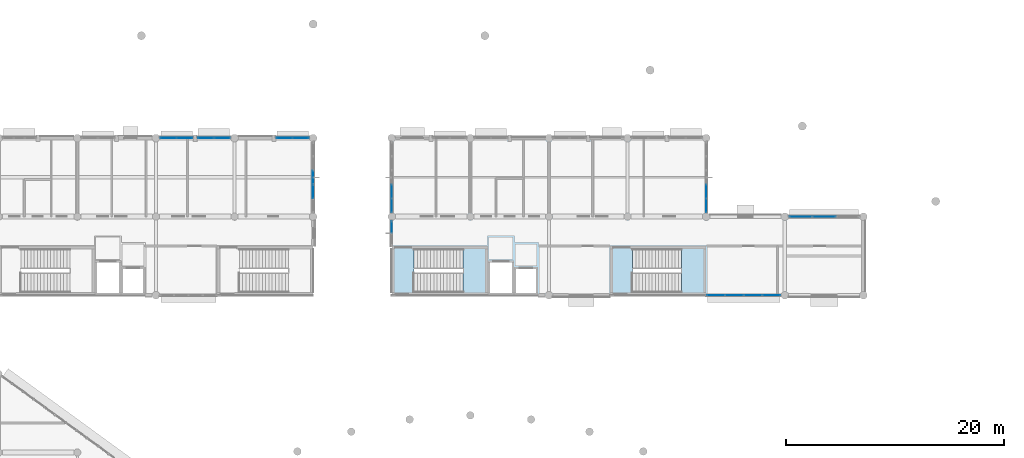
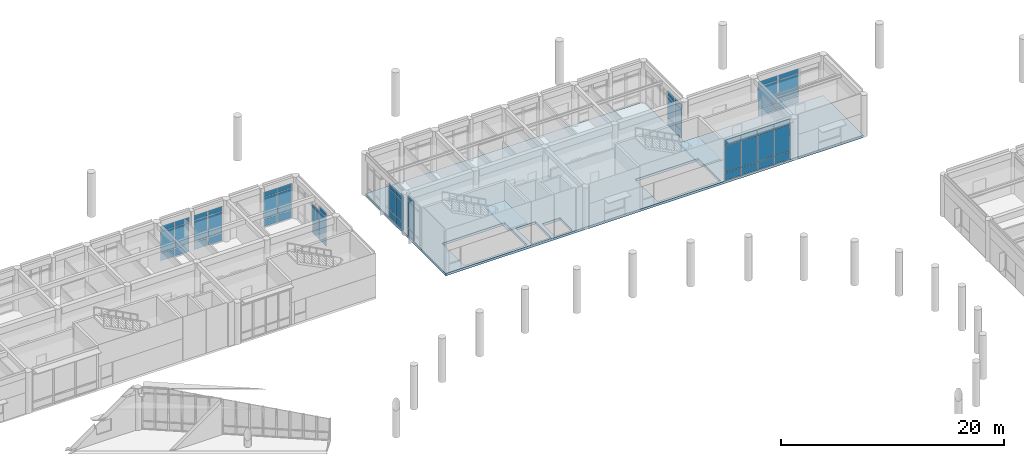
# One storey, part 42 of 92: 56 plates, 3 slabs, 11 elements without a shape of their own.
"""IFC4 building model written with IfcOpenShell, lengths in metres."""

import ifcopenshell
import ifcopenshell.guid

model = None  # the IFC model being written
_history = None  # IfcOwnerHistory: only IFC2X3 demands one
_inside = {}  # id of a spatial element -> (the spatial element, [elements in it])
_under = {}  # id of a project, library or spatial element -> (it, [spatial elements below it])
_declared = {}  # id of a project -> (the project, [libraries it declares])
_typed = {}  # id of a type object -> (the type object, [elements of that type])
_made_of = {}  # id of a material, layer set ... -> (it, [elements and type objects made of it])


def new_model(schema):
    """Start an empty IFC model of exactly this schema.

    Asked for "IFC4X3", IfcOpenShell would pick the latest addendum, in which some entities
    have other attributes; the version numbers below select the first issue.
    IFC2X3 requires an IfcOwnerHistory on every rooted entity: one is made here for all.
    """
    global model, _history
    if schema == "IFC4X3":
        model = ifcopenshell.file(schema_version=(4, 3, 0, 0))
    else:
        model = ifcopenshell.file(schema=schema)
    _inside.clear()
    _under.clear()
    _declared.clear()
    _typed.clear()
    _made_of.clear()
    _history = None
    if model.schema == "IFC2X3":
        org = make("IfcOrganization", Name="unknown")
        user = make(
            "IfcPersonAndOrganization",
            ThePerson=make("IfcPerson", FamilyName="unknown"),
            TheOrganization=org,
        )
        app = make(
            "IfcApplication",
            ApplicationDeveloper=org,
            Version="unknown",
            ApplicationFullName="unknown",
            ApplicationIdentifier="unknown",
        )
        _history = make(
            "IfcOwnerHistory",
            OwningUser=user,
            OwningApplication=app,
            ChangeAction="ADDED",
            CreationDate=0,
        )
    return model


def make(cls, **values):
    """One entity of the class cls with the attributes given. An attribute that is None is left unset."""
    return model.create_entity(
        cls, **{name: value for name, value in values.items() if value is not None}
    )


def rooted(cls, **values):
    """An entity with a GlobalId (a new one), such as an element, a storey or a relation."""
    return make(cls, GlobalId=ifcopenshell.guid.new(), OwnerHistory=_history, **values)


def si_unit(unit_type, name, prefix=None):
    """IfcSIUnit, for example si_unit("LENGTHUNIT", "METRE", prefix="MILLI")."""
    return make("IfcSIUnit", UnitType=unit_type, Prefix=prefix, Name=name)


def assignment(units):
    """IfcUnitAssignment: the units of a project."""
    return None if units is None else make("IfcUnitAssignment", Units=units)


def point(xyz):
    """IfcCartesianPoint."""
    return None if xyz is None else make("IfcCartesianPoint", Coordinates=xyz)


def direction(xyz):
    """IfcDirection."""
    return None if xyz is None else make("IfcDirection", DirectionRatios=xyz)


def frame(location, z_axis=None, x_axis=None):
    """IfcAxis2Placement3D, a coordinate frame: its origin and axes. An axis left out is left unset."""
    return make(
        "IfcAxis2Placement3D",
        Location=point(location),
        Axis=direction(z_axis),
        RefDirection=direction(x_axis),
    )


def frame_2d(location, x_axis=None):
    """IfcAxis2Placement2D, a coordinate frame in the plane: its origin and x axis."""
    return make(
        "IfcAxis2Placement2D", Location=point(location), RefDirection=direction(x_axis)
    )


def origin():
    """The frame at (0, 0, 0) with its axes left unset."""
    return frame((0.0, 0.0, 0.0))


def origin_2d():
    """The frame at (0, 0) in the plane with its x axis left unset."""
    return frame_2d((0.0, 0.0))


def place(relative_to, where):
    """IfcLocalPlacement: puts the frame where relative to a parent placement (None: the world)."""
    return make(
        "IfcLocalPlacement", PlacementRelTo=relative_to, RelativePlacement=where
    )


def context(
    kind, dimensions, precision=None, world=None, true_north=None, identifier=None
):
    """IfcGeometricRepresentationContext, for example the 3D "Model" context."""
    return make(
        "IfcGeometricRepresentationContext",
        ContextIdentifier=identifier,
        ContextType=kind,
        CoordinateSpaceDimension=dimensions,
        Precision=precision,
        WorldCoordinateSystem=world,
        TrueNorth=true_north,
    )


def subcontext(parent, identifier, kind, view, scale=None):
    """IfcGeometricRepresentationSubContext, for example "Body" below "Model"."""
    return make(
        "IfcGeometricRepresentationSubContext",
        ContextIdentifier=identifier,
        ContextType=kind,
        ParentContext=parent,
        TargetScale=scale,
        TargetView=view,
    )


def project(units=None, contexts=None):
    """IfcProject with its units and contexts."""
    return rooted(
        "IfcProject",
        Name="project",
        RepresentationContexts=contexts,
        UnitsInContext=assignment(units),
    )


def spatial(cls, under=None, at=None, **own):
    """A site, building, storey or space (cls), placed at a placement, below another one or the project."""
    s = rooted(cls, ObjectPlacement=at, **own)
    if under is not None:
        _under.setdefault(under.id(), (under, []))[1].append(s)
    return s


def polyline(points):
    """IfcPolyline through the points."""
    return make("IfcPolyline", Points=[point(p) for p in points])


def profile(cls, at=None, kind="AREA", **sizes):
    """A parametric profile (cls). Its sizes go by their IFC names, for example OverallWidth=200.0."""
    return make(cls, ProfileType=kind, Position=at, **sizes)


def rectangle(**sizes):
    """IfcRectangleProfileDef."""
    return profile("IfcRectangleProfileDef", **sizes)


def outline(outer, holes=None, kind="AREA"):
    """IfcArbitraryClosedProfileDef: a profile drawn as a closed curve; with holes, ...WithVoids."""
    if holes is None:
        return make("IfcArbitraryClosedProfileDef", ProfileType=kind, OuterCurve=outer)
    return make(
        "IfcArbitraryProfileDefWithVoids",
        ProfileType=kind,
        OuterCurve=outer,
        InnerCurves=holes,
    )


def extrude(swept, where, along, depth):
    """IfcExtrudedAreaSolid: the profile swept, set in the frame where, extruded along a direction by depth."""
    return make(
        "IfcExtrudedAreaSolid",
        SweptArea=swept,
        Position=where,
        ExtrudedDirection=direction(along),
        Depth=depth,
    )


def shape(context_of_items, identifier, shape_type, items):
    """IfcShapeRepresentation: the items that make up one representation, for example the "Body"."""
    return make(
        "IfcShapeRepresentation",
        ContextOfItems=context_of_items,
        RepresentationIdentifier=identifier,
        RepresentationType=shape_type,
        Items=items,
    )


def material(Name=None, Category=None):
    """IfcMaterial."""
    return make("IfcMaterial", Name=Name, Category=Category)


def layer(
    of_material, thickness, ventilated=None, Name=None, Category=None, Priority=None
):
    """IfcMaterialLayer: one layer of a wall or slab, of a material (None: an air gap)."""
    return make(
        "IfcMaterialLayer",
        Material=of_material,
        LayerThickness=thickness,
        IsVentilated=ventilated,
        Name=Name,
        Category=Category,
        Priority=Priority,
    )


def layer_set(layers, Name=None):
    """IfcMaterialLayerSet."""
    return make("IfcMaterialLayerSet", MaterialLayers=layers, LayerSetName=Name)


def made_of(thing, what):
    """Note that an element or type object is made of a material, layer set ...; save() writes the relation."""
    if what is not None:
        _made_of.setdefault(what.id(), (what, []))[1].append(thing)
    return thing


def type_object(cls, material=None, **own):
    """A type object (cls), such as IfcWallType, which elements share."""
    return made_of(rooted(cls, **own), material)


def element(
    cls,
    number,
    at=None,
    inside=None,
    cuts=None,
    type_object=None,
    material=None,
    context=None,
    identifier="Body",
    shape_type=None,
    held_by="IfcProductDefinitionShape",
    body=None,
    shapes=None,
    **own,
):
    """One element of the class cls, such as IfcWall. Its Tag is "e" and its number.

    at: its placement. inside: the storey or other place that contains it. cuts: it is an
    opening in that element (IfcRelVoidsElement). A single representation is given by context,
    identifier, shape_type and body (its items); several are given by shapes. held_by: the class
    of the entity that holds the representations. save() writes the other relations.
    """
    e = rooted(cls, Tag="e%d" % number, ObjectPlacement=at, **own)
    if body is not None:
        shapes = [shape(context, identifier, shape_type, body)]
    if shapes is not None:
        e.Representation = make(held_by, Representations=shapes)
    if inside is not None:
        _inside.setdefault(inside.id(), (inside, []))[1].append(e)
    if cuts is not None:
        rooted(
            "IfcRelVoidsElement", RelatingBuildingElement=cuts, RelatedOpeningElement=e
        )
    if type_object is not None:
        _typed.setdefault(type_object.id(), (type_object, []))[1].append(e)
    return made_of(e, material)


def aggregate(whole, parts):
    """IfcRelAggregates: a whole, such as a stair, and the parts it consists of."""
    return rooted("IfcRelAggregates", RelatingObject=whole, RelatedObjects=parts)


def save(model, path):
    """Write the relations noted so far, then the file.

    IfcRelAggregates (storeys below a building ...), IfcRelContainedInSpatialStructure (elements
    in a storey), IfcRelDefinesByType, IfcRelAssociatesMaterial and IfcRelDeclares: one each for
    every whole, place, type object, material and project.
    """
    for whole, parts in _under.values():
        aggregate(whole, parts)
    for where, things in _inside.values():
        rooted(
            "IfcRelContainedInSpatialStructure",
            RelatedElements=things,
            RelatingStructure=where,
        )
    for kind, things in _typed.values():
        rooted("IfcRelDefinesByType", RelatedObjects=things, RelatingType=kind)
    for what, things in _made_of.values():
        rooted("IfcRelAssociatesMaterial", RelatedObjects=things, RelatingMaterial=what)
    for by, libraries in _declared.values():
        rooted("IfcRelDeclares", RelatingContext=by, RelatedDefinitions=libraries)
    model.write(path)


model = new_model("IFC4")

# Units and contexts
model_context = context("Model", 3, precision=1e-05, world=origin(), true_north=direction((0.0, 1.0)))
body_context = subcontext(model_context, "Body", "Model", "MODEL_VIEW")
ifc_project = project(units=[si_unit("LENGTHUNIT", "METRE"), si_unit("AREAUNIT", "SQUARE_METRE"), si_unit("VOLUMEUNIT", "CUBIC_METRE"), si_unit("PLANEANGLEUNIT", "RADIAN"), si_unit("MASSUNIT", "GRAM", prefix="KILO")], contexts=[model_context])

# Site, building, storey
site_placement = place(None, origin())
site = spatial("IfcSite", under=ifc_project, at=site_placement, CompositionType="ELEMENT")
building_placement = place(site_placement, origin())
building = spatial("IfcBuilding", under=site, at=building_placement, Name="Namkhue Oval Health Centre", CompositionType="ELEMENT")
storey_placement = place(building_placement, frame((0.0, 0.0, 4.800048828125)))
storey = spatial("IfcBuildingStorey", under=building, at=storey_placement, Name="L01", CompositionType="ELEMENT", Elevation=4.800048828125)

# Curtain wall, plates
ifc_material_1 = material(Name="Anodised aluminium EN AW-6063 T6", Category="aluminium")
ifc_layer_1 = layer(ifc_material_1, 0.159912109375)
ifc_layer_set_1 = layer_set([ifc_layer_1], Name="Anodised aluminium EN AW-6063 T6")
curtain_wall_type_1 = type_object("IfcCurtainWallType", Name="UNITISED CURTAIN WALL M1800", PredefinedType="NOTDEFINED", material=ifc_layer_set_1)
curtain_wall_1_placement = place(storey_placement, origin())
curtain_wall_1 = element("IfcCurtainWall", 1, at=curtain_wall_1_placement, inside=storey, type_object=curtain_wall_type_1, Name="Volume V2 L01 Unitised Curtain Wall 53", PredefinedType="NOTDEFINED")
ifc_material_2 = material(Name="Thermally broken low-E laminated double glazing", Category="glass")
ifc_layer_2 = layer(ifc_material_2, 0.02587890625)
ifc_layer_set_2 = layer_set([ifc_layer_2], Name="Thermally broken low-E laminated double glazing")
plate_type_1 = type_object("IfcPlateType", Name="CURTAIN WALL GLAZED PANEL 26", PredefinedType="CURTAIN_PANEL", material=ifc_layer_set_2)
plate_1_placement = place(storey_placement, frame((74.63427734375, 104.39990234375, 0.06494140625), z_axis=(0.0, 0.0, 1.0), x_axis=(-1.0, 0.0, 0.0)))
plate_1 = element("IfcPlate", 2, at=plate_1_placement, type_object=plate_type_1, Name="CW-05 panel 1.1", PredefinedType="CURTAIN_PANEL", context=body_context, shape_type="SweptSolid", body=[
    extrude(rectangle(XDim=1.429443359375, YDim=0.02587890625, at=origin_2d()), origin(), (0.0, 0.0, 1.0), 0.802490234375),
])
plate_2_placement = place(storey_placement, frame((74.63427734375, 104.39990234375, 0.932373046875), z_axis=(0.0, 0.0, 1.0), x_axis=(-1.0, 0.0, 0.0)))
plate_2 = element("IfcPlate", 3, at=plate_2_placement, type_object=plate_type_1, Name="CW-05 panel 1.2", PredefinedType="CURTAIN_PANEL", context=body_context, shape_type="SweptSolid", body=[
    extrude(rectangle(XDim=1.429443359375, YDim=0.02587890625, at=origin_2d()), origin(), (0.0, 0.0, 1.0), 2.2900390625),
])
plate_3_placement = place(storey_placement, frame((74.63427734375, 104.39990234375, 3.28759765625), z_axis=(0.0, 0.0, 1.0), x_axis=(-1.0, 0.0, 0.0)))
plate_3 = element("IfcPlate", 4, at=plate_3_placement, type_object=plate_type_1, Name="CW-05 panel 1.3", PredefinedType="CURTAIN_PANEL", context=body_context, shape_type="SweptSolid", body=[
    extrude(rectangle(XDim=1.429443359375, YDim=0.02587890625, at=origin_2d()), origin(), (0.0, 0.0, 1.0), 0.552490234375),
])
plate_4_placement = place(storey_placement, frame((73.1396484375, 104.39990234375, 0.06494140625), z_axis=(0.0, 0.0, 1.0), x_axis=(-1.0, 0.0, 0.0)))
plate_4 = element("IfcPlate", 5, at=plate_4_placement, type_object=plate_type_1, Name="CW-05 panel 2.1", PredefinedType="CURTAIN_PANEL", context=body_context, shape_type="SweptSolid", body=[
    extrude(rectangle(XDim=1.429443359375, YDim=0.02587890625, at=origin_2d()), origin(), (0.0, 0.0, 1.0), 0.802490234375),
])
plate_5_placement = place(storey_placement, frame((73.1396484375, 104.39990234375, 0.932373046875), z_axis=(0.0, 0.0, 1.0), x_axis=(-1.0, 0.0, 0.0)))
plate_5 = element("IfcPlate", 6, at=plate_5_placement, type_object=plate_type_1, Name="CW-05 panel 2.2", PredefinedType="CURTAIN_PANEL", context=body_context, shape_type="SweptSolid", body=[
    extrude(rectangle(XDim=1.429443359375, YDim=0.02587890625, at=origin_2d()), origin(), (0.0, 0.0, 1.0), 2.2900390625),
])
plate_6_placement = place(storey_placement, frame((73.1396484375, 104.39990234375, 3.28759765625), z_axis=(0.0, 0.0, 1.0), x_axis=(-1.0, 0.0, 0.0)))
plate_6 = element("IfcPlate", 7, at=plate_6_placement, type_object=plate_type_1, Name="CW-05 panel 2.3", PredefinedType="CURTAIN_PANEL", context=body_context, shape_type="SweptSolid", body=[
    extrude(rectangle(XDim=1.429443359375, YDim=0.02587890625, at=origin_2d()), origin(), (0.0, 0.0, 1.0), 0.552490234375),
])
aggregate(curtain_wall_1, [plate_1, plate_2, plate_3, plate_4, plate_5, plate_6])

curtain_wall_2_placement = place(storey_placement, origin())
curtain_wall_2 = element("IfcCurtainWall", 8, at=curtain_wall_2_placement, inside=storey, type_object=curtain_wall_type_1, Name="Volume V3 L01 Unitised Curtain Wall 101", PredefinedType="NOTDEFINED")
plate_7_placement = place(storey_placement, frame((123.2861328125, 90.0, 0.06494140625), z_axis=(0.0, 0.0, 1.0), x_axis=(1.0, 0.0, 0.0)))
plate_7 = element("IfcPlate", 9, at=plate_7_placement, type_object=plate_type_1, Name="CW-05 panel 1.1", PredefinedType="CURTAIN_PANEL", context=body_context, shape_type="SweptSolid", body=[
    extrude(rectangle(XDim=1.608154296875, YDim=0.02587890625, at=origin_2d()), origin(), (0.0, 0.0, 1.0), 0.802490234375),
])
plate_8_placement = place(storey_placement, frame((123.2861328125, 90.0, 0.932373046875), z_axis=(0.0, 0.0, 1.0), x_axis=(1.0, 0.0, 0.0)))
plate_8 = element("IfcPlate", 10, at=plate_8_placement, type_object=plate_type_1, Name="CW-05 panel 1.2", PredefinedType="CURTAIN_PANEL", context=body_context, shape_type="SweptSolid", body=[
    extrude(rectangle(XDim=1.608154296875, YDim=0.02587890625, at=origin_2d()), origin(), (0.0, 0.0, 1.0), 2.9150390625),
])
plate_9_placement = place(storey_placement, frame((123.2861328125, 90.0, 3.91259765625), z_axis=(0.0, 0.0, 1.0), x_axis=(1.0, 0.0, 0.0)))
plate_9 = element("IfcPlate", 11, at=plate_9_placement, type_object=plate_type_1, Name="CW-05 panel 1.3", PredefinedType="CURTAIN_PANEL", context=body_context, shape_type="SweptSolid", body=[
    extrude(rectangle(XDim=1.608154296875, YDim=0.02587890625, at=origin_2d()), origin(), (0.0, 0.0, 1.0), 0.552490234375),
])
plate_10_placement = place(storey_placement, frame((124.9755859375, 90.0, 0.06494140625), z_axis=(0.0, 0.0, 1.0), x_axis=(1.0, 0.0, 0.0)))
plate_10 = element("IfcPlate", 12, at=plate_10_placement, type_object=plate_type_1, Name="CW-05 panel 2.1", PredefinedType="CURTAIN_PANEL", context=body_context, shape_type="SweptSolid", body=[
    extrude(rectangle(XDim=1.640869140625, YDim=0.02587890625, at=origin_2d()), origin(), (0.0, 0.0, 1.0), 0.802490234375),
])
plate_11_placement = place(storey_placement, frame((124.9755859375, 90.0, 0.932373046875), z_axis=(0.0, 0.0, 1.0), x_axis=(1.0, 0.0, 0.0)))
plate_11 = element("IfcPlate", 13, at=plate_11_placement, type_object=plate_type_1, Name="CW-05 panel 2.2", PredefinedType="CURTAIN_PANEL", context=body_context, shape_type="SweptSolid", body=[
    extrude(rectangle(XDim=1.640869140625, YDim=0.02587890625, at=origin_2d()), origin(), (0.0, 0.0, 1.0), 2.9150390625),
])
plate_12_placement = place(storey_placement, frame((124.9755859375, 90.0, 3.91259765625), z_axis=(0.0, 0.0, 1.0), x_axis=(1.0, 0.0, 0.0)))
plate_12 = element("IfcPlate", 14, at=plate_12_placement, type_object=plate_type_1, Name="CW-05 panel 2.3", PredefinedType="CURTAIN_PANEL", context=body_context, shape_type="SweptSolid", body=[
    extrude(rectangle(XDim=1.640869140625, YDim=0.02587890625, at=origin_2d()), origin(), (0.0, 0.0, 1.0), 0.552490234375),
])
plate_13_placement = place(storey_placement, frame((126.681396484375, 90.0, 0.06494140625), z_axis=(0.0, 0.0, 1.0), x_axis=(1.0, 0.0, 0.0)))
plate_13 = element("IfcPlate", 15, at=plate_13_placement, type_object=plate_type_1, Name="CW-05 panel 3.1", PredefinedType="CURTAIN_PANEL", context=body_context, shape_type="SweptSolid", body=[
    extrude(rectangle(XDim=1.640869140625, YDim=0.02587890625, at=origin_2d()), origin(), (0.0, 0.0, 1.0), 0.802490234375),
])
plate_14_placement = place(storey_placement, frame((126.681396484375, 90.0, 0.932373046875), z_axis=(0.0, 0.0, 1.0), x_axis=(1.0, 0.0, 0.0)))
plate_14 = element("IfcPlate", 16, at=plate_14_placement, type_object=plate_type_1, Name="CW-05 panel 3.2", PredefinedType="CURTAIN_PANEL", context=body_context, shape_type="SweptSolid", body=[
    extrude(rectangle(XDim=1.640869140625, YDim=0.02587890625, at=origin_2d()), origin(), (0.0, 0.0, 1.0), 2.9150390625),
])
plate_15_placement = place(storey_placement, frame((126.681396484375, 90.0, 3.91259765625), z_axis=(0.0, 0.0, 1.0), x_axis=(1.0, 0.0, 0.0)))
plate_15 = element("IfcPlate", 17, at=plate_15_placement, type_object=plate_type_1, Name="CW-05 panel 3.3", PredefinedType="CURTAIN_PANEL", context=body_context, shape_type="SweptSolid", body=[
    extrude(rectangle(XDim=1.640869140625, YDim=0.02587890625, at=origin_2d()), origin(), (0.0, 0.0, 1.0), 0.552490234375),
])
plate_16_placement = place(storey_placement, frame((128.370849609375, 90.0, 0.06494140625), z_axis=(0.0, 0.0, 1.0), x_axis=(1.0, 0.0, 0.0)))
plate_16 = element("IfcPlate", 18, at=plate_16_placement, type_object=plate_type_1, Name="CW-05 panel 4.1", PredefinedType="CURTAIN_PANEL", context=body_context, shape_type="SweptSolid", body=[
    extrude(rectangle(XDim=1.608154296875, YDim=0.02587890625, at=origin_2d()), origin(), (0.0, 0.0, 1.0), 0.802490234375),
])
plate_17_placement = place(storey_placement, frame((128.370849609375, 90.0, 0.932373046875), z_axis=(0.0, 0.0, 1.0), x_axis=(1.0, 0.0, 0.0)))
plate_17 = element("IfcPlate", 19, at=plate_17_placement, type_object=plate_type_1, Name="CW-05 panel 4.2", PredefinedType="CURTAIN_PANEL", context=body_context, shape_type="SweptSolid", body=[
    extrude(rectangle(XDim=1.608154296875, YDim=0.02587890625, at=origin_2d()), origin(), (0.0, 0.0, 1.0), 2.9150390625),
])
plate_18_placement = place(storey_placement, frame((128.370849609375, 90.0, 3.91259765625), z_axis=(0.0, 0.0, 1.0), x_axis=(1.0, 0.0, 0.0)))
plate_18 = element("IfcPlate", 20, at=plate_18_placement, type_object=plate_type_1, Name="CW-05 panel 4.3", PredefinedType="CURTAIN_PANEL", context=body_context, shape_type="SweptSolid", body=[
    extrude(rectangle(XDim=1.608154296875, YDim=0.02587890625, at=origin_2d()), origin(), (0.0, 0.0, 1.0), 0.552490234375),
])
aggregate(curtain_wall_2, [plate_7, plate_8, plate_9, plate_10, plate_11, plate_12, plate_13, plate_14, plate_15, plate_16, plate_17, plate_18])

ifc_layer_3 = layer(ifc_material_1, 0.159912109375)
ifc_layer_set_3 = layer_set([ifc_layer_3], Name="Anodised aluminium EN AW-6063 T6")
curtain_wall_type_2 = type_object("IfcCurtainWallType", Name="UNITISED CURTAIN WALL M1200", PredefinedType="NOTDEFINED", material=ifc_layer_set_3)
curtain_wall_3_placement = place(storey_placement, origin())
curtain_wall_3 = element("IfcCurtainWall", 21, at=curtain_wall_3_placement, inside=storey, type_object=curtain_wall_type_2, Name="Volume V3 L01 Unitised Curtain Wall 109", PredefinedType="NOTDEFINED")
plate_19_placement = place(storey_placement, frame((93.60009765625, 99.50390625, 0.06494140625), z_axis=(0.0, 0.0, 1.0), x_axis=(0.0, -1.0, 0.0)))
plate_19 = element("IfcPlate", 22, at=plate_19_placement, type_object=plate_type_1, Name="CW-01 panel 4.1", PredefinedType="CURTAIN_PANEL", context=body_context, shape_type="SweptSolid", body=[
    extrude(rectangle(XDim=1.23095703125, YDim=0.02587890625, at=origin_2d()), origin(), (0.0, 0.0, 1.0), 0.802490234375),
])
plate_20_placement = place(storey_placement, frame((93.60009765625, 99.50390625, 0.9326171875), z_axis=(0.0, 0.0, 1.0), x_axis=(0.0, -1.0, 0.0)))
plate_20 = element("IfcPlate", 23, at=plate_20_placement, type_object=plate_type_1, Name="CW-01 panel 4.2", PredefinedType="CURTAIN_PANEL", context=body_context, shape_type="SweptSolid", body=[
    extrude(rectangle(XDim=1.23095703125, YDim=0.02587890625, at=origin_2d()), origin(), (0.0, 0.0, 1.0), 2.264892578125),
])
plate_21_placement = place(storey_placement, frame((93.60009765625, 99.50390625, 3.2626953125), z_axis=(0.0, 0.0, 1.0), x_axis=(0.0, -1.0, 0.0)))
plate_21 = element("IfcPlate", 24, at=plate_21_placement, type_object=plate_type_1, Name="CW-01 panel 4.3", PredefinedType="CURTAIN_PANEL", context=body_context, shape_type="SweptSolid", body=[
    extrude(rectangle(XDim=1.23095703125, YDim=0.02587890625, at=origin_2d()), origin(), (0.0, 0.0, 1.0), 0.552490234375),
])
plate_22_placement = place(storey_placement, frame((93.60009765625, 98.224365234375, 0.06494140625), z_axis=(0.0, 0.0, 1.0), x_axis=(0.0, -1.0, 0.0)))
plate_22 = element("IfcPlate", 25, at=plate_22_placement, type_object=plate_type_1, Name="CW-01 panel 5.1", PredefinedType="CURTAIN_PANEL", context=body_context, shape_type="SweptSolid", body=[
    extrude(rectangle(XDim=1.198486328125, YDim=0.02587890625, at=origin_2d()), origin(), (0.0, 0.0, 1.0), 0.802490234375),
])
plate_23_placement = place(storey_placement, frame((93.60009765625, 98.224365234375, 0.9326171875), z_axis=(0.0, 0.0, 1.0), x_axis=(0.0, -1.0, 0.0)))
plate_23 = element("IfcPlate", 26, at=plate_23_placement, type_object=plate_type_1, Name="CW-01 panel 5.2", PredefinedType="CURTAIN_PANEL", context=body_context, shape_type="SweptSolid", body=[
    extrude(rectangle(XDim=1.198486328125, YDim=0.02587890625, at=origin_2d()), origin(), (0.0, 0.0, 1.0), 2.264892578125),
])
plate_24_placement = place(storey_placement, frame((93.60009765625, 98.224365234375, 3.2626953125), z_axis=(0.0, 0.0, 1.0), x_axis=(0.0, -1.0, 0.0)))
plate_24 = element("IfcPlate", 27, at=plate_24_placement, type_object=plate_type_1, Name="CW-01 panel 5.3", PredefinedType="CURTAIN_PANEL", context=body_context, shape_type="SweptSolid", body=[
    extrude(rectangle(XDim=1.198486328125, YDim=0.02587890625, at=origin_2d()), origin(), (0.0, 0.0, 1.0), 0.552490234375),
])
aggregate(curtain_wall_3, [plate_19, plate_20, plate_21, plate_22, plate_23, plate_24])

ifc_layer_4 = layer(ifc_material_1, 0.159912109375)
ifc_layer_set_4 = layer_set([ifc_layer_4], Name="Anodised aluminium EN AW-6063 T6")
curtain_wall_type_3 = type_object("IfcCurtainWallType", Name="UNITISED CURTAIN WALL M1350", PredefinedType="NOTDEFINED", material=ifc_layer_set_4)
curtain_wall_4_placement = place(storey_placement, origin())
curtain_wall_4 = element("IfcCurtainWall", 28, at=curtain_wall_4_placement, inside=storey, type_object=curtain_wall_type_3, Name="Volume V2 L01 Unitised Curtain Wall 50", PredefinedType="NOTDEFINED")
ifc_layer_5 = layer(ifc_material_2, 0.028076171875)
ifc_layer_set_5 = layer_set([ifc_layer_5], Name="Thermally broken low-E laminated double glazing")
plate_type_2 = type_object("IfcPlateType", Name="CURTAIN WALL GLAZED PANEL 28", PredefinedType="CURTAIN_PANEL", material=ifc_layer_set_5)
plate_25_placement = place(storey_placement, frame((86.39990234375, 99.50390625, 0.074951171875), z_axis=(0.0, 0.0, 1.0), x_axis=(0.0, 1.0, 0.0)))
plate_25 = element("IfcPlate", 29, at=plate_25_placement, type_object=plate_type_2, Name="CW-02 panel 2.1", PredefinedType="CURTAIN_PANEL", context=body_context, shape_type="SweptSolid", body=[
    extrude(rectangle(XDim=1.220947265625, YDim=0.028076171875, at=origin_2d()), origin(), (0.0, 0.0, 1.0), 0.78759765625),
])
plate_26_placement = place(storey_placement, frame((86.39990234375, 99.50390625, 0.9375), z_axis=(0.0, 0.0, 1.0), x_axis=(0.0, 1.0, 0.0)))
plate_26 = element("IfcPlate", 30, at=plate_26_placement, type_object=plate_type_2, Name="CW-02 panel 2.2", PredefinedType="CURTAIN_PANEL", context=body_context, shape_type="SweptSolid", body=[
    extrude(rectangle(XDim=1.220947265625, YDim=0.028076171875, at=origin_2d()), origin(), (0.0, 0.0, 1.0), 2.280029296875),
])
plate_27_placement = place(storey_placement, frame((86.39990234375, 99.50390625, 3.29248046875), z_axis=(0.0, 0.0, 1.0), x_axis=(0.0, 1.0, 0.0)))
plate_27 = element("IfcPlate", 31, at=plate_27_placement, type_object=plate_type_2, Name="CW-02 panel 2.3", PredefinedType="CURTAIN_PANEL", context=body_context, shape_type="SweptSolid", body=[
    extrude(rectangle(XDim=1.220947265625, YDim=0.028076171875, at=origin_2d()), origin(), (0.0, 0.0, 1.0), 0.53759765625),
])
plate_28_placement = place(storey_placement, frame((86.39990234375, 100.800048828125, 0.074951171875), z_axis=(0.0, 0.0, 1.0), x_axis=(0.0, 1.0, 0.0)))
plate_28 = element("IfcPlate", 32, at=plate_28_placement, type_object=plate_type_2, Name="CW-02 panel 3.1", PredefinedType="CURTAIN_PANEL", context=body_context, shape_type="SweptSolid", body=[
    extrude(rectangle(XDim=1.220947265625, YDim=0.028076171875, at=origin_2d()), origin(), (0.0, 0.0, 1.0), 0.78759765625),
])
plate_29_placement = place(storey_placement, frame((86.39990234375, 100.800048828125, 0.9375), z_axis=(0.0, 0.0, 1.0), x_axis=(0.0, 1.0, 0.0)))
plate_29 = element("IfcPlate", 33, at=plate_29_placement, type_object=plate_type_2, Name="CW-02 panel 3.2", PredefinedType="CURTAIN_PANEL", context=body_context, shape_type="SweptSolid", body=[
    extrude(rectangle(XDim=1.220947265625, YDim=0.028076171875, at=origin_2d()), origin(), (0.0, 0.0, 1.0), 2.280029296875),
])
aggregate(curtain_wall_4, [plate_25, plate_26, plate_27, plate_28, plate_29])

ifc_layer_6 = layer(ifc_material_1, 0.159912109375)
ifc_layer_set_6 = layer_set([ifc_layer_6], Name="Anodised aluminium EN AW-6063 T6")
curtain_wall_type_4 = type_object("IfcCurtainWallType", Name="UNITISED CURTAIN WALL M2000", PredefinedType="NOTDEFINED", material=ifc_layer_set_6)
curtain_wall_5_placement = place(storey_placement, origin())
curtain_wall_5 = element("IfcCurtainWall", 34, at=curtain_wall_5_placement, inside=storey, type_object=curtain_wall_type_4, Name="Volume V3 L01 Unitised Curtain Wall 102", PredefinedType="NOTDEFINED")
plate_30_placement = place(storey_placement, frame((133.199951171875, 97.199951171875, 0.074951171875), z_axis=(0.0, 0.0, 1.0), x_axis=(-1.0, 0.0, 0.0)))
plate_30 = element("IfcPlate", 35, at=plate_30_placement, type_object=plate_type_2, Name="CW-06 panel 2.1", PredefinedType="CURTAIN_PANEL", context=body_context, shape_type="SweptSolid", body=[
    extrude(rectangle(XDim=2.0849609375, YDim=0.028076171875, at=origin_2d()), origin(), (0.0, 0.0, 1.0), 0.78759765625),
])
plate_31_placement = place(storey_placement, frame((133.199951171875, 97.199951171875, 0.9375), z_axis=(0.0, 0.0, 1.0), x_axis=(-1.0, 0.0, 0.0)))
plate_31 = element("IfcPlate", 36, at=plate_31_placement, type_object=plate_type_2, Name="CW-06 panel 2.2", PredefinedType="CURTAIN_PANEL", context=body_context, shape_type="SweptSolid", body=[
    extrude(rectangle(XDim=2.0849609375, YDim=0.028076171875, at=origin_2d()), origin(), (0.0, 0.0, 1.0), 2.287109375),
])
plate_32_placement = place(storey_placement, frame((133.199951171875, 97.199951171875, 3.29931640625), z_axis=(0.0, 0.0, 1.0), x_axis=(-1.0, 0.0, 0.0)))
plate_32 = element("IfcPlate", 37, at=plate_32_placement, type_object=plate_type_2, Name="CW-06 panel 2.3", PredefinedType="CURTAIN_PANEL", context=body_context, shape_type="SweptSolid", body=[
    extrude(rectangle(XDim=2.0849609375, YDim=0.028076171875, at=origin_2d()), origin(), (0.0, 0.0, 1.0), 0.53759765625),
])
plate_33_placement = place(storey_placement, frame((131.058837890625, 97.199951171875, 0.074951171875), z_axis=(0.0, 0.0, 1.0), x_axis=(-1.0, 0.0, 0.0)))
plate_33 = element("IfcPlate", 38, at=plate_33_placement, type_object=plate_type_2, Name="CW-06 panel 3.1", PredefinedType="CURTAIN_PANEL", context=body_context, shape_type="SweptSolid", body=[
    extrude(rectangle(XDim=2.047607421875, YDim=0.028076171875, at=origin_2d()), origin(), (0.0, 0.0, 1.0), 0.78759765625),
])
plate_34_placement = place(storey_placement, frame((131.058837890625, 97.199951171875, 0.9375), z_axis=(0.0, 0.0, 1.0), x_axis=(-1.0, 0.0, 0.0)))
plate_34 = element("IfcPlate", 39, at=plate_34_placement, type_object=plate_type_2, Name="CW-06 panel 3.2", PredefinedType="CURTAIN_PANEL", context=body_context, shape_type="SweptSolid", body=[
    extrude(rectangle(XDim=2.047607421875, YDim=0.028076171875, at=origin_2d()), origin(), (0.0, 0.0, 1.0), 2.287109375),
])
plate_35_placement = place(storey_placement, frame((131.058837890625, 97.199951171875, 3.29931640625), z_axis=(0.0, 0.0, 1.0), x_axis=(-1.0, 0.0, 0.0)))
plate_35 = element("IfcPlate", 40, at=plate_35_placement, type_object=plate_type_2, Name="CW-06 panel 3.3", PredefinedType="CURTAIN_PANEL", context=body_context, shape_type="SweptSolid", body=[
    extrude(rectangle(XDim=2.047607421875, YDim=0.028076171875, at=origin_2d()), origin(), (0.0, 0.0, 1.0), 0.53759765625),
])
aggregate(curtain_wall_5, [plate_30, plate_31, plate_32, plate_33, plate_34, plate_35])

curtain_wall_6_placement = place(storey_placement, origin())
curtain_wall_6 = element("IfcCurtainWall", 41, at=curtain_wall_6_placement, inside=storey, type_object=curtain_wall_type_3, Name="Volume V3 L01 Unitised Curtain Wall 110", PredefinedType="NOTDEFINED")
plate_36_placement = place(storey_placement, frame((93.60009765625, 96.240478515625, 0.074951171875), z_axis=(0.0, 0.0, 1.0), x_axis=(0.0, -1.0, 0.0)))
plate_36 = element("IfcPlate", 42, at=plate_36_placement, type_object=plate_type_2, Name="CW-02 panel 1.1", PredefinedType="CURTAIN_PANEL", context=body_context, shape_type="SweptSolid", body=[
    extrude(rectangle(XDim=1.049072265625, YDim=0.028076171875, at=origin_2d()), origin(), (0.0, 0.0, 1.0), 0.78759765625),
])
plate_37_placement = place(storey_placement, frame((93.60009765625, 96.240478515625, 0.9375), z_axis=(0.0, 0.0, 1.0), x_axis=(0.0, -1.0, 0.0)))
plate_37 = element("IfcPlate", 43, at=plate_37_placement, type_object=plate_type_2, Name="CW-02 panel 1.2", PredefinedType="CURTAIN_PANEL", context=body_context, shape_type="SweptSolid", body=[
    extrude(rectangle(XDim=1.049072265625, YDim=0.028076171875, at=origin_2d()), origin(), (0.0, 0.0, 1.0), 2.905029296875),
])
plate_38_placement = place(storey_placement, frame((93.60009765625, 96.240478515625, 3.91748046875), z_axis=(0.0, 0.0, 1.0), x_axis=(0.0, -1.0, 0.0)))
plate_38 = element("IfcPlate", 44, at=plate_38_placement, type_object=plate_type_2, Name="CW-02 panel 1.3", PredefinedType="CURTAIN_PANEL", context=body_context, shape_type="SweptSolid", body=[
    extrude(rectangle(XDim=1.049072265625, YDim=0.028076171875, at=origin_2d()), origin(), (0.0, 0.0, 1.0), 0.53759765625),
])
aggregate(curtain_wall_6, [plate_36, plate_37, plate_38])

ifc_layer_7 = layer(ifc_material_1, 0.159912109375)
ifc_layer_set_7 = layer_set([ifc_layer_7], Name="Anodised aluminium EN AW-6063 T6")
curtain_wall_type_5 = type_object("IfcCurtainWallType", Name="UNITISED CURTAIN WALL M1500", PredefinedType="NOTDEFINED", material=ifc_layer_set_7)
curtain_wall_7_placement = place(storey_placement, origin())
curtain_wall_7 = element("IfcCurtainWall", 45, at=curtain_wall_7_placement, inside=storey, type_object=curtain_wall_type_5, Name="Volume V2 L01 Unitised Curtain Wall 51", PredefinedType="NOTDEFINED")
ifc_material_3 = material(Name="Insulated anodised aluminium spandrel panel", Category="aluminium")
ifc_layer_8 = layer(ifc_material_3, 0.031982421875)
ifc_layer_set_8 = layer_set([ifc_layer_8], Name="Insulated anodised aluminium spandrel panel")
plate_type_3 = type_object("IfcPlateType", Name="CURTAIN WALL SPANDREL PANEL 32", PredefinedType="CURTAIN_PANEL", material=ifc_layer_set_8)
plate_39_placement = place(storey_placement, frame((85.26025390625, 104.39990234375, 0.06494140625), z_axis=(0.0, 0.0, 1.0), x_axis=(-1.0, 0.0, 0.0)))
plate_39 = element("IfcPlate", 46, at=plate_39_placement, type_object=plate_type_3, Name="CW-03 panel 1.1", PredefinedType="CURTAIN_PANEL", context=body_context, shape_type="SweptSolid", body=[
    extrude(rectangle(XDim=1.429443359375, YDim=0.031982421875, at=origin_2d()), origin(), (0.0, 0.0, 1.0), 0.802490234375),
])
plate_40_placement = place(storey_placement, frame((85.26025390625, 104.39990234375, 0.932373046875), z_axis=(0.0, 0.0, 1.0), x_axis=(-1.0, 0.0, 0.0)))
plate_40 = element("IfcPlate", 47, at=plate_40_placement, type_object=plate_type_3, Name="CW-03 panel 1.2", PredefinedType="CURTAIN_PANEL", context=body_context, shape_type="SweptSolid", body=[
    extrude(rectangle(XDim=1.429443359375, YDim=0.031982421875, at=origin_2d()), origin(), (0.0, 0.0, 1.0), 2.2900390625),
])
plate_41_placement = place(storey_placement, frame((85.26025390625, 104.39990234375, 3.28759765625), z_axis=(0.0, 0.0, 1.0), x_axis=(-1.0, 0.0, 0.0)))
plate_41 = element("IfcPlate", 48, at=plate_41_placement, type_object=plate_type_3, Name="CW-03 panel 1.3", PredefinedType="CURTAIN_PANEL", context=body_context, shape_type="SweptSolid", body=[
    extrude(rectangle(XDim=1.429443359375, YDim=0.031982421875, at=origin_2d()), origin(), (0.0, 0.0, 1.0), 0.552490234375),
])
plate_42_placement = place(storey_placement, frame((83.765869140625, 104.39990234375, 0.06494140625), z_axis=(0.0, 0.0, 1.0), x_axis=(-1.0, 0.0, 0.0)))
plate_42 = element("IfcPlate", 49, at=plate_42_placement, type_object=plate_type_3, Name="CW-03 panel 2.1", PredefinedType="CURTAIN_PANEL", context=body_context, shape_type="SweptSolid", body=[
    extrude(rectangle(XDim=1.429443359375, YDim=0.031982421875, at=origin_2d()), origin(), (0.0, 0.0, 1.0), 0.802490234375),
])
plate_43_placement = place(storey_placement, frame((83.765869140625, 104.39990234375, 0.932373046875), z_axis=(0.0, 0.0, 1.0), x_axis=(-1.0, 0.0, 0.0)))
plate_43 = element("IfcPlate", 50, at=plate_43_placement, type_object=plate_type_3, Name="CW-03 panel 2.2", PredefinedType="CURTAIN_PANEL", context=body_context, shape_type="SweptSolid", body=[
    extrude(rectangle(XDim=1.429443359375, YDim=0.031982421875, at=origin_2d()), origin(), (0.0, 0.0, 1.0), 2.2900390625),
])
plate_44_placement = place(storey_placement, frame((83.765869140625, 104.39990234375, 3.28759765625), z_axis=(0.0, 0.0, 1.0), x_axis=(-1.0, 0.0, 0.0)))
plate_44 = element("IfcPlate", 51, at=plate_44_placement, type_object=plate_type_3, Name="CW-03 panel 2.3", PredefinedType="CURTAIN_PANEL", context=body_context, shape_type="SweptSolid", body=[
    extrude(rectangle(XDim=1.429443359375, YDim=0.031982421875, at=origin_2d()), origin(), (0.0, 0.0, 1.0), 0.552490234375),
])
aggregate(curtain_wall_7, [plate_39, plate_40, plate_41, plate_42, plate_43, plate_44])

curtain_wall_8_placement = place(storey_placement, origin())
curtain_wall_8 = element("IfcCurtainWall", 52, at=curtain_wall_8_placement, inside=storey, type_object=curtain_wall_type_2, Name="Volume V3 L01 Unitised Curtain Wall 103", PredefinedType="NOTDEFINED")
plate_45_placement = place(storey_placement, frame((122.39990234375, 98.224365234375, 0.06494140625), z_axis=(0.0, 0.0, 1.0), x_axis=(0.0, 1.0, 0.0)))
plate_45 = element("IfcPlate", 53, at=plate_45_placement, type_object=plate_type_3, Name="CW-01 panel 1.1", PredefinedType="CURTAIN_PANEL", context=body_context, shape_type="SweptSolid", body=[
    extrude(rectangle(XDim=1.198486328125, YDim=0.031982421875, at=origin_2d()), origin(), (0.0, 0.0, 1.0), 0.802490234375),
])
plate_46_placement = place(storey_placement, frame((122.39990234375, 98.224365234375, 0.9326171875), z_axis=(0.0, 0.0, 1.0), x_axis=(0.0, 1.0, 0.0)))
plate_46 = element("IfcPlate", 54, at=plate_46_placement, type_object=plate_type_3, Name="CW-01 panel 1.2", PredefinedType="CURTAIN_PANEL", context=body_context, shape_type="SweptSolid", body=[
    extrude(rectangle(XDim=1.198486328125, YDim=0.031982421875, at=origin_2d()), origin(), (0.0, 0.0, 1.0), 2.264892578125),
])
plate_47_placement = place(storey_placement, frame((122.39990234375, 98.224365234375, 3.2626953125), z_axis=(0.0, 0.0, 1.0), x_axis=(0.0, 1.0, 0.0)))
plate_47 = element("IfcPlate", 55, at=plate_47_placement, type_object=plate_type_3, Name="CW-01 panel 1.3", PredefinedType="CURTAIN_PANEL", context=body_context, shape_type="SweptSolid", body=[
    extrude(rectangle(XDim=1.198486328125, YDim=0.031982421875, at=origin_2d()), origin(), (0.0, 0.0, 1.0), 0.552490234375),
])
plate_48_placement = place(storey_placement, frame((122.39990234375, 99.50390625, 0.06494140625), z_axis=(0.0, 0.0, 1.0), x_axis=(0.0, 1.0, 0.0)))
plate_48 = element("IfcPlate", 56, at=plate_48_placement, type_object=plate_type_3, Name="CW-01 panel 2.1", PredefinedType="CURTAIN_PANEL", context=body_context, shape_type="SweptSolid", body=[
    extrude(rectangle(XDim=1.23095703125, YDim=0.031982421875, at=origin_2d()), origin(), (0.0, 0.0, 1.0), 0.802490234375),
])
plate_49_placement = place(storey_placement, frame((122.39990234375, 99.50390625, 0.9326171875), z_axis=(0.0, 0.0, 1.0), x_axis=(0.0, 1.0, 0.0)))
plate_49 = element("IfcPlate", 57, at=plate_49_placement, type_object=plate_type_3, Name="CW-01 panel 2.2", PredefinedType="CURTAIN_PANEL", context=body_context, shape_type="SweptSolid", body=[
    extrude(rectangle(XDim=1.23095703125, YDim=0.031982421875, at=origin_2d()), origin(), (0.0, 0.0, 1.0), 2.264892578125),
])
plate_50_placement = place(storey_placement, frame((122.39990234375, 99.50390625, 3.2626953125), z_axis=(0.0, 0.0, 1.0), x_axis=(0.0, 1.0, 0.0)))
plate_50 = element("IfcPlate", 58, at=plate_50_placement, type_object=plate_type_3, Name="CW-01 panel 2.3", PredefinedType="CURTAIN_PANEL", context=body_context, shape_type="SweptSolid", body=[
    extrude(rectangle(XDim=1.23095703125, YDim=0.031982421875, at=origin_2d()), origin(), (0.0, 0.0, 1.0), 0.552490234375),
])
aggregate(curtain_wall_8, [plate_45, plate_46, plate_47, plate_48, plate_49, plate_50])

ifc_layer_9 = layer(ifc_material_1, 0.159912109375)
ifc_layer_set_9 = layer_set([ifc_layer_9], Name="Anodised aluminium EN AW-6063 T6")
curtain_wall_type_6 = type_object("IfcCurtainWallType", Name="UNITISED CURTAIN WALL M1600", PredefinedType="NOTDEFINED", material=ifc_layer_set_9)
curtain_wall_9_placement = place(storey_placement, origin())
curtain_wall_9 = element("IfcCurtainWall", 59, at=curtain_wall_9_placement, inside=storey, type_object=curtain_wall_type_6, Name="Volume V2 L01 Unitised Curtain Wall 52", PredefinedType="NOTDEFINED")
ifc_layer_10 = layer(ifc_material_3, 0.035888671875)
ifc_layer_set_10 = layer_set([ifc_layer_10], Name="Insulated anodised aluminium spandrel panel")
plate_type_4 = type_object("IfcPlateType", Name="CURTAIN WALL SPANDREL PANEL 36", PredefinedType="CURTAIN_PANEL", material=ifc_layer_set_10)
plate_51_placement = place(storey_placement, frame((78.057861328125, 104.39990234375, 0.074951171875), z_axis=(0.0, 0.0, 1.0), x_axis=(-1.0, 0.0, 0.0)))
plate_51 = element("IfcPlate", 60, at=plate_51_placement, type_object=plate_type_4, Name="CW-04 panel 1.1", PredefinedType="CURTAIN_PANEL", context=body_context, shape_type="SweptSolid", body=[
    extrude(rectangle(XDim=1.41455078125, YDim=0.035888671875, at=origin_2d()), origin(), (0.0, 0.0, 1.0), 0.78759765625),
])
plate_52_placement = place(storey_placement, frame((78.057861328125, 104.39990234375, 0.9375), z_axis=(0.0, 0.0, 1.0), x_axis=(-1.0, 0.0, 0.0)))
plate_52 = element("IfcPlate", 61, at=plate_52_placement, type_object=plate_type_4, Name="CW-04 panel 1.2", PredefinedType="CURTAIN_PANEL", context=body_context, shape_type="SweptSolid", body=[
    extrude(rectangle(XDim=1.41455078125, YDim=0.035888671875, at=origin_2d()), origin(), (0.0, 0.0, 1.0), 2.280029296875),
])
plate_53_placement = place(storey_placement, frame((78.057861328125, 104.39990234375, 3.29248046875), z_axis=(0.0, 0.0, 1.0), x_axis=(-1.0, 0.0, 0.0)))
plate_53 = element("IfcPlate", 62, at=plate_53_placement, type_object=plate_type_4, Name="CW-04 panel 1.3", PredefinedType="CURTAIN_PANEL", context=body_context, shape_type="SweptSolid", body=[
    extrude(rectangle(XDim=1.41455078125, YDim=0.035888671875, at=origin_2d()), origin(), (0.0, 0.0, 1.0), 0.53759765625),
])
plate_54_placement = place(storey_placement, frame((76.568359375, 104.39990234375, 0.074951171875), z_axis=(0.0, 0.0, 1.0), x_axis=(-1.0, 0.0, 0.0)))
plate_54 = element("IfcPlate", 63, at=plate_54_placement, type_object=plate_type_4, Name="CW-04 panel 2.1", PredefinedType="CURTAIN_PANEL", context=body_context, shape_type="SweptSolid", body=[
    extrude(rectangle(XDim=1.41455078125, YDim=0.035888671875, at=origin_2d()), origin(), (0.0, 0.0, 1.0), 0.78759765625),
])
plate_55_placement = place(storey_placement, frame((76.568359375, 104.39990234375, 0.9375), z_axis=(0.0, 0.0, 1.0), x_axis=(-1.0, 0.0, 0.0)))
plate_55 = element("IfcPlate", 64, at=plate_55_placement, type_object=plate_type_4, Name="CW-04 panel 2.2", PredefinedType="CURTAIN_PANEL", context=body_context, shape_type="SweptSolid", body=[
    extrude(rectangle(XDim=1.41455078125, YDim=0.035888671875, at=origin_2d()), origin(), (0.0, 0.0, 1.0), 2.280029296875),
])
plate_56_placement = place(storey_placement, frame((76.568359375, 104.39990234375, 3.29248046875), z_axis=(0.0, 0.0, 1.0), x_axis=(-1.0, 0.0, 0.0)))
plate_56 = element("IfcPlate", 65, at=plate_56_placement, type_object=plate_type_4, Name="CW-04 panel 2.3", PredefinedType="CURTAIN_PANEL", context=body_context, shape_type="SweptSolid", body=[
    extrude(rectangle(XDim=1.41455078125, YDim=0.035888671875, at=origin_2d()), origin(), (0.0, 0.0, 1.0), 0.53759765625),
])
aggregate(curtain_wall_9, [plate_51, plate_52, plate_53, plate_54, plate_55, plate_56])

# Stair, slab
ifc_material_4 = material(Name="Reinforced concrete C30/37 (TCVN B35)", Category="concrete")
stair_type = type_object("IfcStairType", Name="DOGLEG EXIT STAIR H4800", PredefinedType="HALF_TURN_STAIR", material=ifc_material_4)
stair_1_placement = place(storey_placement, origin())
stair_1 = element("IfcStair", 66, at=stair_1_placement, inside=storey, type_object=stair_type, Name="Protected Exit Stair ST-05 L01", PredefinedType="HALF_TURN_STAIR")
ifc_layer_11 = layer(ifc_material_4, 0.179931640625)
ifc_layer_set_11 = layer_set([ifc_layer_11], Name="Reinforced concrete C30/37 (TCVN B35)")
slab_type_1 = type_object("IfcSlabType", Name="STAIR LANDING SLAB 180", PredefinedType="LANDING", material=ifc_layer_set_11)
slab_1_placement = place(storey_placement, frame((0.0, 0.0, 2.219970703125)))
slab_1 = element("IfcSlab", 67, at=slab_1_placement, type_object=slab_type_1, Name="ST-05 landing 1", PredefinedType="LANDING", context=body_context, shape_type="SweptSolid", body=[
    extrude(outline(polyline([(100.14501953125, 90.22509765625), (102.175048828125, 90.22509765625), (102.175048828125, 94.27490234375), (100.14501953125, 94.27490234375), (100.14501953125, 90.22509765625)])), origin(), (0.0, 0.0, 1.0), 0.179931640625),
])
aggregate(stair_1, [slab_1])

stair_2_placement = place(storey_placement, origin())
stair_2 = element("IfcStair", 68, at=stair_2_placement, inside=storey, type_object=stair_type, Name="Protected Exit Stair ST-06 L01", PredefinedType="HALF_TURN_STAIR")
slab_2_placement = place(storey_placement, frame((0.0, 0.0, 2.219970703125)))
slab_2 = element("IfcSlab", 69, at=slab_2_placement, type_object=slab_type_1, Name="ST-06 landing 1", PredefinedType="LANDING", context=body_context, shape_type="SweptSolid", body=[
    extrude(outline(polyline([(120.14501953125, 90.22509765625), (122.175048828125, 90.22509765625), (122.175048828125, 94.27490234375), (120.14501953125, 94.27490234375), (120.14501953125, 90.22509765625)])), origin(), (0.0, 0.0, 1.0), 0.179931640625),
])
aggregate(stair_2, [slab_2])

# Slab
ifc_layer_12 = layer(ifc_material_4, 0.264892578125)
ifc_layer_set_12 = layer_set([ifc_layer_12], Name="Reinforced concrete C30/37 (TCVN B35)")
slab_type_2 = type_object("IfcSlabType", Name="SUSPENDED FLOOR SLAB 265", PredefinedType="FLOOR", material=ifc_layer_set_12)
slab_3_placement = place(storey_placement, frame((0.0, 0.0, -0.26513671875)))
element("IfcSlab", 70, at=slab_3_placement, inside=storey, type_object=slab_type_2, Name="Volume V3 L01 Suspended Floor Slab", PredefinedType="FLOOR", context=body_context, shape_type="SweptSolid", body=[
    extrude(outline(polyline([(93.60009765625, 90.0), (136.800048828125, 90.0), (136.800048828125, 97.199951171875), (122.39990234375, 97.199951171875), (122.39990234375, 104.39990234375), (93.60009765625, 104.39990234375), (93.60009765625, 90.0)]), holes=[polyline([(95.655029296875, 90.25), (102.14990234375, 90.25), (102.14990234375, 94.25), (95.655029296875, 94.25), (95.655029296875, 90.25)]), polyline([(115.655029296875, 90.25), (122.14990234375, 90.25), (122.14990234375, 94.25), (115.655029296875, 94.25), (115.655029296875, 90.25)]), polyline([(102.60009765625, 90.199951171875), (104.60009765625, 90.199951171875), (104.60009765625, 93.0), (102.60009765625, 93.0), (102.60009765625, 90.199951171875)]), polyline([(105.0, 90.199951171875), (106.800048828125, 90.199951171875), (106.800048828125, 92.39990234375), (105.0, 92.39990234375), (105.0, 90.199951171875)])]), origin(), (0.0, 0.0, 1.0), 0.26513671875),
])

save(model, "model.ifc")
